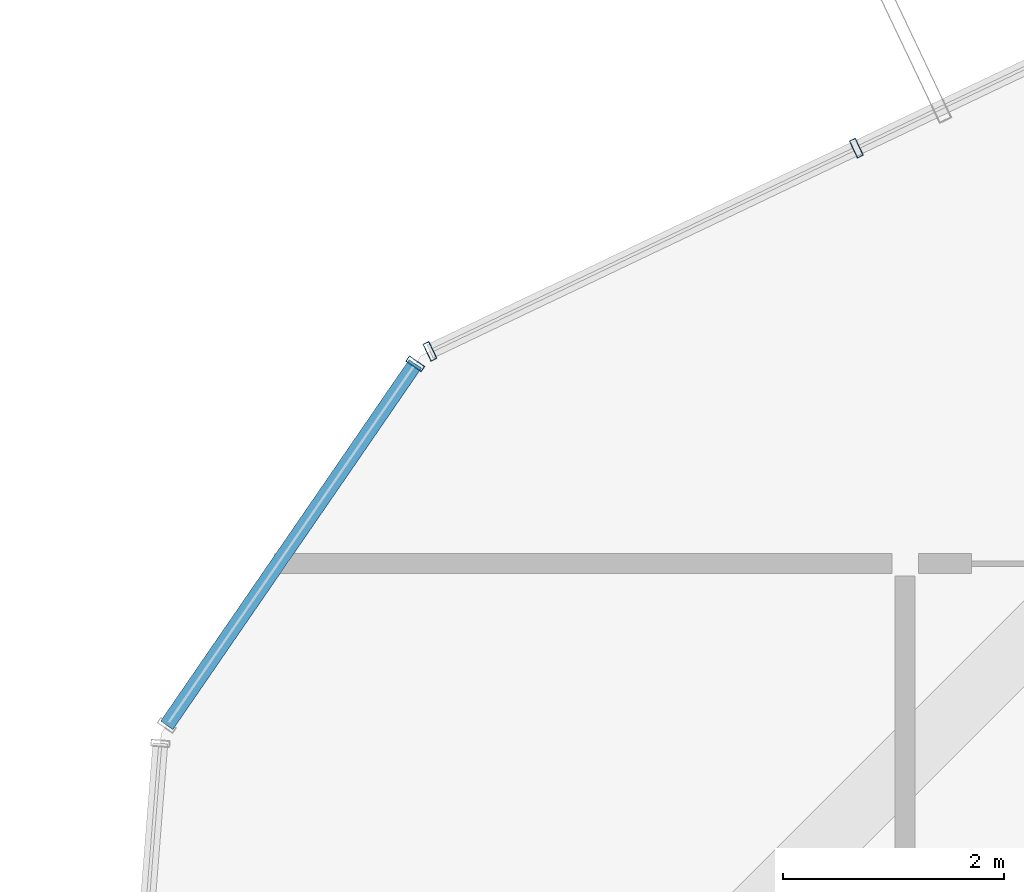
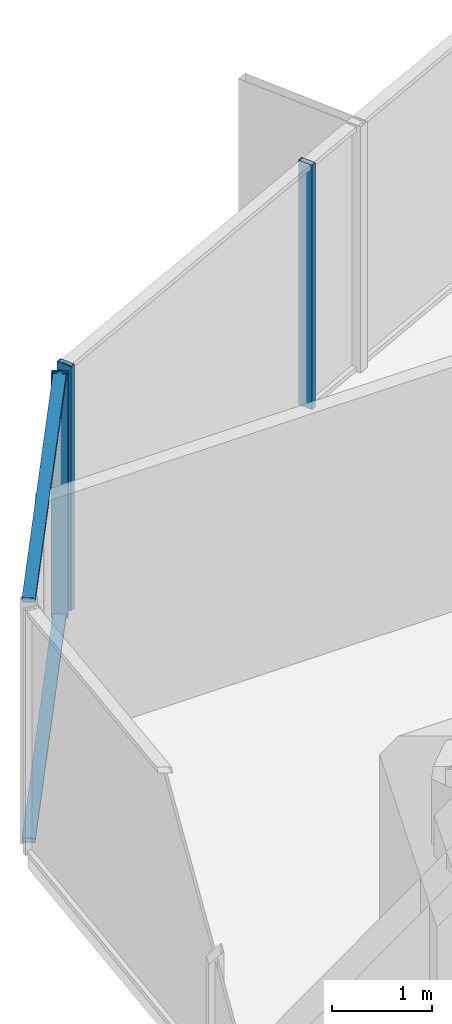
# One storey, part 16 of 30: 5 members, 2 elements without a shape of their own.
"""IFC4 building model written with IfcOpenShell, lengths in metres."""

from ifc_helpers import new_model, si_unit, direction, frame, origin, origin_2d, place, context, subcontext, project, spatial, hollow_rectangle, extrude, source, transform, mapped, material, layer, layer_set, material_profile, profile_set, type_object, element, aggregate, save


model = new_model("IFC4")

# Units and contexts
model_context = context("Model", 3, precision=1e-05, world=origin(), true_north=direction((0.0, 1.0)))
body_context = subcontext(model_context, "Body", "Model", "MODEL_VIEW")
ifc_project = project(units=[si_unit("LENGTHUNIT", "METRE"), si_unit("AREAUNIT", "SQUARE_METRE"), si_unit("VOLUMEUNIT", "CUBIC_METRE"), si_unit("PLANEANGLEUNIT", "RADIAN"), si_unit("MASSUNIT", "GRAM", prefix="KILO")], contexts=[model_context])

# Site, building, storey
site_placement = place(None, origin())
site = spatial("IfcSite", under=ifc_project, at=site_placement, CompositionType="ELEMENT")
building_placement = place(site_placement, origin())
building = spatial("IfcBuilding", under=site, at=building_placement, Name="Veraguas Prism Commons", CompositionType="ELEMENT")
storey_placement = place(building_placement, frame((0.0, 0.0, 113.25)))
storey = spatial("IfcBuildingStorey", under=building, at=storey_placement, Name="L31", CompositionType="ELEMENT", Elevation=113.25)

# Curtain wall, members
ifc_material = material(Name="Anodised aluminium EN AW-6063 T6", Category="aluminium")
ifc_layer = layer(ifc_material, 0.169921875, Name="Unitised Flush Curtain Wall Zone 2", Category="aluminium")
ifc_layer_set = layer_set([ifc_layer], Name="Anodised aluminium EN AW-6063 T6")
curtain_wall_type = type_object("IfcCurtainWallType", Name="Unitised Flush Curtain Wall Zone 2", PredefinedType="NOTDEFINED", material=ifc_layer_set)
curtain_wall_1_placement = place(storey_placement, origin())
curtain_wall_1 = element("IfcCurtainWall", 1, at=curtain_wall_1_placement, inside=storey, type_object=curtain_wall_type, Name="Tower Facade Curtain Wall L31-F2", PredefinedType="NOTDEFINED")
ifc_material_profile_1 = material_profile(ifc_material, hollow_rectangle(XDim=0.06005859375, YDim=0.169921875, WallThickness=0.00390625, at=origin_2d()), Name="AL60X170X4")
ifc_profile_set_1 = profile_set([ifc_material_profile_1], Name="Anodised aluminium EN AW-6063 T6")
member_type_1 = type_object("IfcMemberType", Name="Curtain Wall Mullion Lower AL 60x170x4", PredefinedType="MULLION", material=ifc_profile_set_1)
shared_shape_1 = source(origin(), body_context, "Body", "SweptSolid", [
    extrude(hollow_rectangle(XDim=0.06005859375, YDim=0.169921875, WallThickness=0.00390625, at=origin_2d()), origin(), (0.0, 0.0, 1.0), 3.0),
])
member_1_placement = place(storey_placement, frame((11.8583984375, 39.463134765625, 0.0), z_axis=(0.0, 0.0, 1.0), x_axis=(-0.902734004407, -0.430199160025, 0.0)))
member_1 = element("IfcMember", 2, at=member_1_placement, type_object=member_type_1, Name="CW-Z2 Mullion 4", PredefinedType="MULLION", context=body_context, shape_type="MappedRepresentation", body=[
    mapped(shared_shape_1, transform((0.0, 0.0, 0.0), scale=1.0)),
])
member_2_placement = place(storey_placement, frame((7.995849609375, 37.62255859375, 0.0), z_axis=(0.0, 0.0, 1.0), x_axis=(-0.902734004407, -0.430199160025, 0.0)))
member_2 = element("IfcMember", 3, at=member_2_placement, type_object=member_type_1, Name="CW-Z2 Mullion 5", PredefinedType="MULLION", context=body_context, shape_type="MappedRepresentation", body=[
    mapped(shared_shape_1, transform((0.0, 0.0, 0.0), scale=1.0)),
])
aggregate(curtain_wall_1, [member_1, member_2])

curtain_wall_2_placement = place(storey_placement, origin())
curtain_wall_2 = element("IfcCurtainWall", 4, at=curtain_wall_2_placement, inside=storey, type_object=curtain_wall_type, Name="Chamfer Curtain Wall L31-C3", PredefinedType="NOTDEFINED")
member_3_placement = place(storey_placement, frame((7.863525390625, 37.509765625, 0.0), z_axis=(0.0, 0.0, 1.0), x_axis=(-0.566692438693, -0.823929414409, 0.0)))
member_3 = element("IfcMember", 5, at=member_3_placement, type_object=member_type_1, Name="CW-Z2 Mullion 1", PredefinedType="MULLION", context=body_context, shape_type="MappedRepresentation", body=[
    mapped(shared_shape_1, transform((0.0, 0.0, 0.0), scale=1.0)),
])
ifc_material_profile_2 = material_profile(ifc_material, hollow_rectangle(XDim=0.054931640625, YDim=0.135009765625, WallThickness=0.0029296875, at=origin_2d()), Name="AL55X135X3")
ifc_profile_set_2 = profile_set([ifc_material_profile_2], Name="Anodised aluminium EN AW-6063 T6")
member_type_2 = type_object("IfcMemberType", Name="Curtain Wall Transom Standard AL 55x135x3", PredefinedType="USERDEFINED", material=ifc_profile_set_2)
shared_shape_2 = source(origin(), body_context, "Body", "SweptSolid", [
    extrude(hollow_rectangle(XDim=0.054931640625, YDim=0.135009765625, WallThickness=0.0029296875, at=origin_2d()), origin(), (0.0, 0.0, 1.0), 3.97314453125),
])
member_4_placement = place(storey_placement, frame((7.863525390625, 37.509765625, 0.027587890625), z_axis=(-0.566667030603, -0.823946889325, 0.0), x_axis=(0.0, 0.0, 1.0)))
member_4 = element("IfcMember", 6, at=member_4_placement, type_object=member_type_2, Name="CW-Z2 Transom 1", ObjectType="TRANSOM", PredefinedType="USERDEFINED", context=body_context, shape_type="MappedRepresentation", body=[
    mapped(shared_shape_2, transform((0.0, 0.0, 0.0), scale=1.0)),
])
member_5_placement = place(storey_placement, frame((7.863525390625, 37.509765625, 2.972412109375), z_axis=(-0.566667030603, -0.823946889325, 0.0), x_axis=(0.0, 0.0, 1.0)))
member_5 = element("IfcMember", 7, at=member_5_placement, type_object=member_type_2, Name="CW-Z2 Transom 2", ObjectType="TRANSOM", PredefinedType="USERDEFINED", context=body_context, shape_type="MappedRepresentation", body=[
    mapped(shared_shape_2, transform((0.0, 0.0, 0.0), scale=1.0)),
])
aggregate(curtain_wall_2, [member_3, member_4, member_5])

save(model, "model.ifc")
